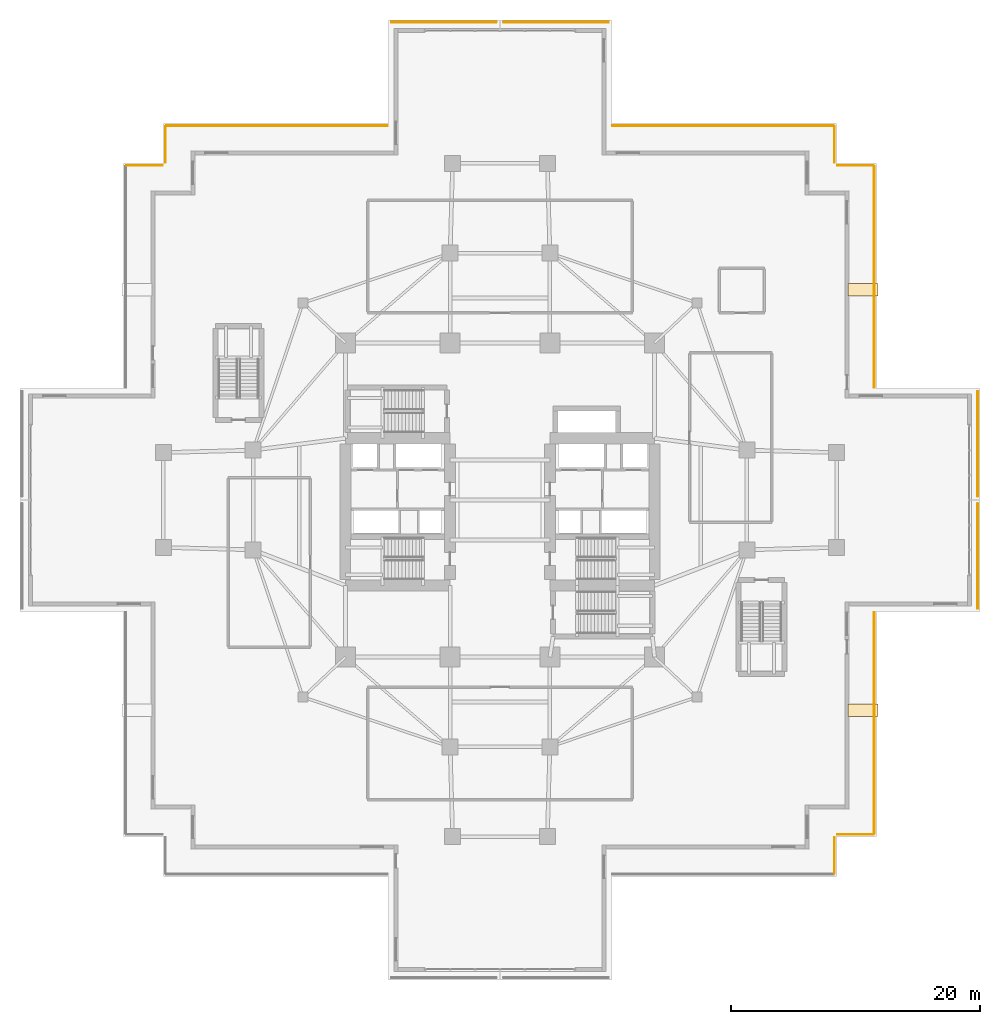
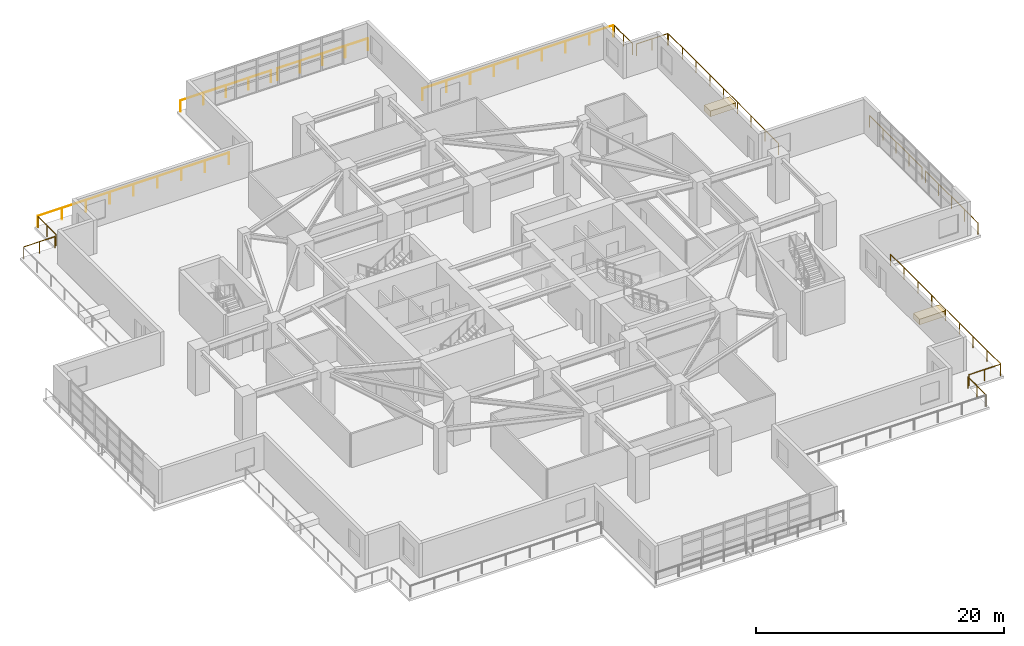
# One storey, part 23 of 23: 14 railings, 2 coverings.
"""IFC4 building model written with IfcOpenShell, lengths in metres."""

import ifcopenshell
import ifcopenshell.guid

model = None  # the IFC model being written
_history = None  # IfcOwnerHistory: only IFC2X3 demands one
_inside = {}  # id of a spatial element -> (the spatial element, [elements in it])
_under = {}  # id of a project, library or spatial element -> (it, [spatial elements below it])
_declared = {}  # id of a project -> (the project, [libraries it declares])
_typed = {}  # id of a type object -> (the type object, [elements of that type])
_made_of = {}  # id of a material, layer set ... -> (it, [elements and type objects made of it])


def new_model(schema):
    """Start an empty IFC model of exactly this schema.

    Asked for "IFC4X3", IfcOpenShell would pick the latest addendum, in which some entities
    have other attributes; the version numbers below select the first issue.
    IFC2X3 requires an IfcOwnerHistory on every rooted entity: one is made here for all.
    """
    global model, _history
    if schema == "IFC4X3":
        model = ifcopenshell.file(schema_version=(4, 3, 0, 0))
    else:
        model = ifcopenshell.file(schema=schema)
    _inside.clear()
    _under.clear()
    _declared.clear()
    _typed.clear()
    _made_of.clear()
    _history = None
    if model.schema == "IFC2X3":
        org = make("IfcOrganization", Name="unknown")
        user = make(
            "IfcPersonAndOrganization",
            ThePerson=make("IfcPerson", FamilyName="unknown"),
            TheOrganization=org,
        )
        app = make(
            "IfcApplication",
            ApplicationDeveloper=org,
            Version="unknown",
            ApplicationFullName="unknown",
            ApplicationIdentifier="unknown",
        )
        _history = make(
            "IfcOwnerHistory",
            OwningUser=user,
            OwningApplication=app,
            ChangeAction="ADDED",
            CreationDate=0,
        )
    return model


def make(cls, **values):
    """One entity of the class cls with the attributes given. An attribute that is None is left unset."""
    return model.create_entity(
        cls, **{name: value for name, value in values.items() if value is not None}
    )


def rooted(cls, **values):
    """An entity with a GlobalId (a new one), such as an element, a storey or a relation."""
    return make(cls, GlobalId=ifcopenshell.guid.new(), OwnerHistory=_history, **values)


def si_unit(unit_type, name, prefix=None):
    """IfcSIUnit, for example si_unit("LENGTHUNIT", "METRE", prefix="MILLI")."""
    return make("IfcSIUnit", UnitType=unit_type, Prefix=prefix, Name=name)


def assignment(units):
    """IfcUnitAssignment: the units of a project."""
    return None if units is None else make("IfcUnitAssignment", Units=units)


def point(xyz):
    """IfcCartesianPoint."""
    return None if xyz is None else make("IfcCartesianPoint", Coordinates=xyz)


def direction(xyz):
    """IfcDirection."""
    return None if xyz is None else make("IfcDirection", DirectionRatios=xyz)


def frame(location, z_axis=None, x_axis=None):
    """IfcAxis2Placement3D, a coordinate frame: its origin and axes. An axis left out is left unset."""
    return make(
        "IfcAxis2Placement3D",
        Location=point(location),
        Axis=direction(z_axis),
        RefDirection=direction(x_axis),
    )


def frame_2d(location, x_axis=None):
    """IfcAxis2Placement2D, a coordinate frame in the plane: its origin and x axis."""
    return make(
        "IfcAxis2Placement2D", Location=point(location), RefDirection=direction(x_axis)
    )


def origin():
    """The frame at (0, 0, 0) with its axes left unset."""
    return frame((0.0, 0.0, 0.0))


def origin_2d():
    """The frame at (0, 0) in the plane with its x axis left unset."""
    return frame_2d((0.0, 0.0))


def place(relative_to, where):
    """IfcLocalPlacement: puts the frame where relative to a parent placement (None: the world)."""
    return make(
        "IfcLocalPlacement", PlacementRelTo=relative_to, RelativePlacement=where
    )


def context(
    kind, dimensions, precision=None, world=None, true_north=None, identifier=None
):
    """IfcGeometricRepresentationContext, for example the 3D "Model" context."""
    return make(
        "IfcGeometricRepresentationContext",
        ContextIdentifier=identifier,
        ContextType=kind,
        CoordinateSpaceDimension=dimensions,
        Precision=precision,
        WorldCoordinateSystem=world,
        TrueNorth=true_north,
    )


def subcontext(parent, identifier, kind, view, scale=None):
    """IfcGeometricRepresentationSubContext, for example "Body" below "Model"."""
    return make(
        "IfcGeometricRepresentationSubContext",
        ContextIdentifier=identifier,
        ContextType=kind,
        ParentContext=parent,
        TargetScale=scale,
        TargetView=view,
    )


def project(units=None, contexts=None):
    """IfcProject with its units and contexts."""
    return rooted(
        "IfcProject",
        Name="project",
        RepresentationContexts=contexts,
        UnitsInContext=assignment(units),
    )


def spatial(cls, under=None, at=None, **own):
    """A site, building, storey or space (cls), placed at a placement, below another one or the project."""
    s = rooted(cls, ObjectPlacement=at, **own)
    if under is not None:
        _under.setdefault(under.id(), (under, []))[1].append(s)
    return s


def profile(cls, at=None, kind="AREA", **sizes):
    """A parametric profile (cls). Its sizes go by their IFC names, for example OverallWidth=200.0."""
    return make(cls, ProfileType=kind, Position=at, **sizes)


def rectangle(**sizes):
    """IfcRectangleProfileDef."""
    return profile("IfcRectangleProfileDef", **sizes)


def circle(**sizes):
    """IfcCircleProfileDef."""
    return profile("IfcCircleProfileDef", **sizes)


def extrude(swept, where, along, depth):
    """IfcExtrudedAreaSolid: the profile swept, set in the frame where, extruded along a direction by depth."""
    return make(
        "IfcExtrudedAreaSolid",
        SweptArea=swept,
        Position=where,
        ExtrudedDirection=direction(along),
        Depth=depth,
    )


def shape(context_of_items, identifier, shape_type, items):
    """IfcShapeRepresentation: the items that make up one representation, for example the "Body"."""
    return make(
        "IfcShapeRepresentation",
        ContextOfItems=context_of_items,
        RepresentationIdentifier=identifier,
        RepresentationType=shape_type,
        Items=items,
    )


def material(Name=None, Category=None):
    """IfcMaterial."""
    return make("IfcMaterial", Name=Name, Category=Category)


def layer(
    of_material, thickness, ventilated=None, Name=None, Category=None, Priority=None
):
    """IfcMaterialLayer: one layer of a wall or slab, of a material (None: an air gap)."""
    return make(
        "IfcMaterialLayer",
        Material=of_material,
        LayerThickness=thickness,
        IsVentilated=ventilated,
        Name=Name,
        Category=Category,
        Priority=Priority,
    )


def layer_set(layers, Name=None):
    """IfcMaterialLayerSet."""
    return make("IfcMaterialLayerSet", MaterialLayers=layers, LayerSetName=Name)


def made_of(thing, what):
    """Note that an element or type object is made of a material, layer set ...; save() writes the relation."""
    if what is not None:
        _made_of.setdefault(what.id(), (what, []))[1].append(thing)
    return thing


def type_object(cls, material=None, **own):
    """A type object (cls), such as IfcWallType, which elements share."""
    return made_of(rooted(cls, **own), material)


def element(
    cls,
    number,
    at=None,
    inside=None,
    cuts=None,
    type_object=None,
    material=None,
    context=None,
    identifier="Body",
    shape_type=None,
    held_by="IfcProductDefinitionShape",
    body=None,
    shapes=None,
    **own,
):
    """One element of the class cls, such as IfcWall. Its Tag is "e" and its number.

    at: its placement. inside: the storey or other place that contains it. cuts: it is an
    opening in that element (IfcRelVoidsElement). A single representation is given by context,
    identifier, shape_type and body (its items); several are given by shapes. held_by: the class
    of the entity that holds the representations. save() writes the other relations.
    """
    e = rooted(cls, Tag="e%d" % number, ObjectPlacement=at, **own)
    if body is not None:
        shapes = [shape(context, identifier, shape_type, body)]
    if shapes is not None:
        e.Representation = make(held_by, Representations=shapes)
    if inside is not None:
        _inside.setdefault(inside.id(), (inside, []))[1].append(e)
    if cuts is not None:
        rooted(
            "IfcRelVoidsElement", RelatingBuildingElement=cuts, RelatedOpeningElement=e
        )
    if type_object is not None:
        _typed.setdefault(type_object.id(), (type_object, []))[1].append(e)
    return made_of(e, material)


def aggregate(whole, parts):
    """IfcRelAggregates: a whole, such as a stair, and the parts it consists of."""
    return rooted("IfcRelAggregates", RelatingObject=whole, RelatedObjects=parts)


def save(model, path):
    """Write the relations noted so far, then the file.

    IfcRelAggregates (storeys below a building ...), IfcRelContainedInSpatialStructure (elements
    in a storey), IfcRelDefinesByType, IfcRelAssociatesMaterial and IfcRelDeclares: one each for
    every whole, place, type object, material and project.
    """
    for whole, parts in _under.values():
        aggregate(whole, parts)
    for where, things in _inside.values():
        rooted(
            "IfcRelContainedInSpatialStructure",
            RelatedElements=things,
            RelatingStructure=where,
        )
    for kind, things in _typed.values():
        rooted("IfcRelDefinesByType", RelatedObjects=things, RelatingType=kind)
    for what, things in _made_of.values():
        rooted("IfcRelAssociatesMaterial", RelatedObjects=things, RelatingMaterial=what)
    for by, libraries in _declared.values():
        rooted("IfcRelDeclares", RelatingContext=by, RelatedDefinitions=libraries)
    model.write(path)


model = new_model("IFC4")

# Units and contexts
model_context = context("Model", 3, precision=1e-05, world=origin(), true_north=direction((0.0, 1.0)))
body_context = subcontext(model_context, "Body", "Model", "MODEL_VIEW")
ifc_project = project(units=[si_unit("LENGTHUNIT", "METRE"), si_unit("AREAUNIT", "SQUARE_METRE"), si_unit("VOLUMEUNIT", "CUBIC_METRE"), si_unit("PLANEANGLEUNIT", "RADIAN"), si_unit("MASSUNIT", "GRAM", prefix="KILO")], contexts=[model_context])

# Site, building, storey
site_placement = place(None, origin())
site = spatial("IfcSite", under=ifc_project, at=site_placement, CompositionType="ELEMENT")
building_placement = place(site_placement, origin())
building = spatial("IfcBuilding", under=site, at=building_placement, Name="Qingluan Cross Belvedere", CompositionType="ELEMENT")
storey_placement = place(building_placement, frame((0.0, 0.0, 10.199951171875)))
storey = spatial("IfcBuildingStorey", under=building, at=storey_placement, Name="L03", CompositionType="ELEMENT", Elevation=10.199951171875)

# Railings
ifc_material_1 = material(Name="Laminated glass and stainless steel balustrade", Category="steel")
railing_type = type_object("IfcRailingType", Name="TerraceGuardBalustrade_1150", PredefinedType="BALUSTRADE", material=ifc_material_1)
railing_1_placement = place(storey_placement, frame((0.2900390625, 38.320068359375, 0.0)))
element("IfcRailing", 1, at=railing_1_placement, inside=storey, type_object=railing_type, Name="Terrace guard L03-1", PredefinedType="BALUSTRADE", context=body_context, shape_type="SweptSolid", body=[
    extrude(circle(Radius=0.02392578125, at=origin_2d()), frame((0.0, 0.0, 1.1259765625), z_axis=(1.0, 0.0, 0.0), x_axis=(0.0, 1.0, 0.0)), (0.0, 0.0, 1.0), 8.419921875),
    extrude(circle(Radius=0.02099609375, at=origin_2d()), origin(), (0.0, 0.0, 1.0), 1.101806640625),
    extrude(circle(Radius=0.02099609375, at=origin_2d()), frame((2.10498046875, 0.0, 0.0)), (0.0, 0.0, 1.0), 1.101806640625),
    extrude(circle(Radius=0.02099609375, at=origin_2d()), frame((4.2099609375, 0.0, 0.0)), (0.0, 0.0, 1.0), 1.101806640625),
    extrude(circle(Radius=0.02099609375, at=origin_2d()), frame((6.31494140625, 0.0, 0.0)), (0.0, 0.0, 1.0), 1.101806640625),
    extrude(circle(Radius=0.02099609375, at=origin_2d()), frame((8.419921875, 0.0, 0.0)), (0.0, 0.0, 1.0), 1.101806640625),
])
railing_2_placement = place(storey_placement, frame((9.010009765625, 30.02001953125, 0.0)))
element("IfcRailing", 2, at=railing_2_placement, inside=storey, type_object=railing_type, Name="Terrace guard L03-2", PredefinedType="BALUSTRADE", context=body_context, shape_type="SweptSolid", body=[
    extrude(circle(Radius=0.02392578125, at=origin_2d()), frame((0.0, 0.0, 1.1259765625), z_axis=(1.0, 0.0, 0.0), x_axis=(0.0, 1.0, 0.0)), (0.0, 0.0, 1.0), 17.75),
    extrude(circle(Radius=0.02099609375, at=origin_2d()), origin(), (0.0, 0.0, 1.0), 1.101806640625),
    extrude(circle(Radius=0.02099609375, at=origin_2d()), frame((2.21875, 0.0, 0.0)), (0.0, 0.0, 1.0), 1.101806640625),
    extrude(circle(Radius=0.02099609375, at=origin_2d()), frame((4.4375, 0.0, 0.0)), (0.0, 0.0, 1.0), 1.101806640625),
    extrude(circle(Radius=0.02099609375, at=origin_2d()), frame((6.65625, 0.0, 0.0)), (0.0, 0.0, 1.0), 1.101806640625),
    extrude(circle(Radius=0.02099609375, at=origin_2d()), frame((8.875, 0.0, 0.0)), (0.0, 0.0, 1.0), 1.101806640625),
    extrude(circle(Radius=0.02099609375, at=origin_2d()), frame((11.09375, 0.0, 0.0)), (0.0, 0.0, 1.0), 1.101806640625),
    extrude(circle(Radius=0.02099609375, at=origin_2d()), frame((13.3125, 0.0, 0.0)), (0.0, 0.0, 1.0), 1.101806640625),
    extrude(circle(Radius=0.02099609375, at=origin_2d()), frame((15.53125, 0.0, 0.0)), (0.0, 0.0, 1.0), 1.101806640625),
    extrude(circle(Radius=0.02099609375, at=origin_2d()), frame((17.75, 0.0, 0.0)), (0.0, 0.0, 1.0), 1.101806640625),
])
railing_3_placement = place(storey_placement, frame((26.820068359375, 29.9599609375, 0.0)))
element("IfcRailing", 3, at=railing_3_placement, inside=storey, type_object=railing_type, Name="Terrace guard L03-3", PredefinedType="BALUSTRADE", context=body_context, shape_type="SweptSolid", body=[
    extrude(circle(Radius=0.02392578125, at=origin_2d()), frame((0.0, 0.0, 1.1259765625), z_axis=(0.0, -1.0, 0.0), x_axis=(1.0, 0.0, 0.0)), (0.0, 0.0, 1.0), 2.89990234375),
    extrude(circle(Radius=0.02099609375, at=origin_2d()), origin(), (0.0, 0.0, 1.0), 1.101806640625),
    extrude(circle(Radius=0.02099609375, at=origin_2d()), frame((0.0, -1.449951171875, 0.0)), (0.0, 0.0, 1.0), 1.101806640625),
    extrude(circle(Radius=0.02099609375, at=origin_2d()), frame((0.0, -2.89990234375, 0.0)), (0.0, 0.0, 1.0), 1.101806640625),
])
railing_4_placement = place(storey_placement, frame((27.06005859375, 26.820068359375, 0.0)))
element("IfcRailing", 4, at=railing_4_placement, inside=storey, type_object=railing_type, Name="Terrace guard L03-4", PredefinedType="BALUSTRADE", context=body_context, shape_type="SweptSolid", body=[
    extrude(circle(Radius=0.02392578125, at=origin_2d()), frame((0.0, 0.0, 1.1259765625), z_axis=(1.0, 0.0, 0.0), x_axis=(0.0, 1.0, 0.0)), (0.0, 0.0, 1.0), 2.89990234375),
    extrude(circle(Radius=0.02099609375, at=origin_2d()), origin(), (0.0, 0.0, 1.0), 1.101806640625),
    extrude(circle(Radius=0.02099609375, at=origin_2d()), frame((1.449951171875, 0.0, 0.0)), (0.0, 0.0, 1.0), 1.101806640625),
    extrude(circle(Radius=0.02099609375, at=origin_2d()), frame((2.89990234375, 0.0, 0.0)), (0.0, 0.0, 1.0), 1.101806640625),
])
railing_5_placement = place(storey_placement, frame((30.02001953125, 26.760009765625, 0.0)))
element("IfcRailing", 5, at=railing_5_placement, inside=storey, type_object=railing_type, Name="Terrace guard L03-5", PredefinedType="BALUSTRADE", context=body_context, shape_type="SweptSolid", body=[
    extrude(circle(Radius=0.02392578125, at=origin_2d()), frame((0.0, 0.0, 1.1259765625), z_axis=(0.0, -1.0, 0.0), x_axis=(1.0, 0.0, 0.0)), (0.0, 0.0, 1.0), 17.75),
    extrude(circle(Radius=0.02099609375, at=origin_2d()), origin(), (0.0, 0.0, 1.0), 1.101806640625),
    extrude(circle(Radius=0.02099609375, at=origin_2d()), frame((0.0, -2.21875, 0.0)), (0.0, 0.0, 1.0), 1.101806640625),
    extrude(circle(Radius=0.02099609375, at=origin_2d()), frame((0.0, -4.4375, 0.0)), (0.0, 0.0, 1.0), 1.101806640625),
    extrude(circle(Radius=0.02099609375, at=origin_2d()), frame((0.0, -6.65625, 0.0)), (0.0, 0.0, 1.0), 1.101806640625),
    extrude(circle(Radius=0.02099609375, at=origin_2d()), frame((0.0, -8.875, 0.0)), (0.0, 0.0, 1.0), 1.101806640625),
    extrude(circle(Radius=0.02099609375, at=origin_2d()), frame((0.0, -11.09375, 0.0)), (0.0, 0.0, 1.0), 1.101806640625),
    extrude(circle(Radius=0.02099609375, at=origin_2d()), frame((0.0, -13.3125, 0.0)), (0.0, 0.0, 1.0), 1.101806640625),
    extrude(circle(Radius=0.02099609375, at=origin_2d()), frame((0.0, -15.53125, 0.0)), (0.0, 0.0, 1.0), 1.101806640625),
    extrude(circle(Radius=0.02099609375, at=origin_2d()), frame((0.0, -17.75, 0.0)), (0.0, 0.0, 1.0), 1.101806640625),
])
railing_6_placement = place(storey_placement, frame((38.320068359375, 8.7099609375, 0.0)))
element("IfcRailing", 6, at=railing_6_placement, inside=storey, type_object=railing_type, Name="Terrace guard L03-6", PredefinedType="BALUSTRADE", context=body_context, shape_type="SweptSolid", body=[
    extrude(circle(Radius=0.02392578125, at=origin_2d()), frame((0.0, 0.0, 1.1259765625), z_axis=(0.0, -1.0, 0.0), x_axis=(1.0, 0.0, 0.0)), (0.0, 0.0, 1.0), 8.419921875),
    extrude(circle(Radius=0.02099609375, at=origin_2d()), origin(), (0.0, 0.0, 1.0), 1.101806640625),
    extrude(circle(Radius=0.02099609375, at=origin_2d()), frame((0.0, -2.10498046875, 0.0)), (0.0, 0.0, 1.0), 1.101806640625),
    extrude(circle(Radius=0.02099609375, at=origin_2d()), frame((0.0, -4.2099609375, 0.0)), (0.0, 0.0, 1.0), 1.101806640625),
    extrude(circle(Radius=0.02099609375, at=origin_2d()), frame((0.0, -6.31494140625, 0.0)), (0.0, 0.0, 1.0), 1.101806640625),
    extrude(circle(Radius=0.02099609375, at=origin_2d()), frame((0.0, -8.419921875, 0.0)), (0.0, 0.0, 1.0), 1.101806640625),
])
railing_7_placement = place(storey_placement, frame((-29.9599609375, 26.820068359375, 0.0)))
element("IfcRailing", 7, at=railing_7_placement, inside=storey, type_object=railing_type, Name="Terrace guard L03-3", PredefinedType="BALUSTRADE", context=body_context, shape_type="SweptSolid", body=[
    extrude(circle(Radius=0.02392578125, at=origin_2d()), frame((0.0, 0.0, 1.1259765625), z_axis=(1.0, 0.0, 0.0), x_axis=(0.0, 1.0, 0.0)), (0.0, 0.0, 1.0), 2.89990234375),
    extrude(circle(Radius=0.02099609375, at=origin_2d()), origin(), (0.0, 0.0, 1.0), 1.101806640625),
    extrude(circle(Radius=0.02099609375, at=origin_2d()), frame((1.449951171875, 0.0, 0.0)), (0.0, 0.0, 1.0), 1.101806640625),
    extrude(circle(Radius=0.02099609375, at=origin_2d()), frame((2.89990234375, 0.0, 0.0)), (0.0, 0.0, 1.0), 1.101806640625),
])
railing_8_placement = place(storey_placement, frame((-26.820068359375, 27.06005859375, 0.0)))
element("IfcRailing", 8, at=railing_8_placement, inside=storey, type_object=railing_type, Name="Terrace guard L03-4", PredefinedType="BALUSTRADE", context=body_context, shape_type="SweptSolid", body=[
    extrude(circle(Radius=0.02392578125, at=origin_2d()), frame((0.0, 0.0, 1.1259765625), z_axis=(0.0, 1.0, 0.0), x_axis=(-1.0, 0.0, 0.0)), (0.0, 0.0, 1.0), 2.89990234375),
    extrude(circle(Radius=0.02099609375, at=origin_2d()), origin(), (0.0, 0.0, 1.0), 1.101806640625),
    extrude(circle(Radius=0.02099609375, at=origin_2d()), frame((0.0, 1.449951171875, 0.0)), (0.0, 0.0, 1.0), 1.101806640625),
    extrude(circle(Radius=0.02099609375, at=origin_2d()), frame((0.0, 2.89990234375, 0.0)), (0.0, 0.0, 1.0), 1.101806640625),
])
railing_9_placement = place(storey_placement, frame((-26.760009765625, 30.02001953125, 0.0)))
element("IfcRailing", 9, at=railing_9_placement, inside=storey, type_object=railing_type, Name="Terrace guard L03-5", PredefinedType="BALUSTRADE", context=body_context, shape_type="SweptSolid", body=[
    extrude(circle(Radius=0.02392578125, at=origin_2d()), frame((0.0, 0.0, 1.1259765625), z_axis=(1.0, 0.0, 0.0), x_axis=(0.0, 1.0, 0.0)), (0.0, 0.0, 1.0), 17.75),
    extrude(circle(Radius=0.02099609375, at=origin_2d()), origin(), (0.0, 0.0, 1.0), 1.101806640625),
    extrude(circle(Radius=0.02099609375, at=origin_2d()), frame((2.21875, 0.0, 0.0)), (0.0, 0.0, 1.0), 1.101806640625),
    extrude(circle(Radius=0.02099609375, at=origin_2d()), frame((4.4375, 0.0, 0.0)), (0.0, 0.0, 1.0), 1.101806640625),
    extrude(circle(Radius=0.02099609375, at=origin_2d()), frame((6.65625, 0.0, 0.0)), (0.0, 0.0, 1.0), 1.101806640625),
    extrude(circle(Radius=0.02099609375, at=origin_2d()), frame((8.875, 0.0, 0.0)), (0.0, 0.0, 1.0), 1.101806640625),
    extrude(circle(Radius=0.02099609375, at=origin_2d()), frame((11.09375, 0.0, 0.0)), (0.0, 0.0, 1.0), 1.101806640625),
    extrude(circle(Radius=0.02099609375, at=origin_2d()), frame((13.3125, 0.0, 0.0)), (0.0, 0.0, 1.0), 1.101806640625),
    extrude(circle(Radius=0.02099609375, at=origin_2d()), frame((15.53125, 0.0, 0.0)), (0.0, 0.0, 1.0), 1.101806640625),
    extrude(circle(Radius=0.02099609375, at=origin_2d()), frame((17.75, 0.0, 0.0)), (0.0, 0.0, 1.0), 1.101806640625),
])
railing_10_placement = place(storey_placement, frame((-8.7099609375, 38.320068359375, 0.0)))
element("IfcRailing", 10, at=railing_10_placement, inside=storey, type_object=railing_type, Name="Terrace guard L03-6", PredefinedType="BALUSTRADE", context=body_context, shape_type="SweptSolid", body=[
    extrude(circle(Radius=0.02392578125, at=origin_2d()), frame((0.0, 0.0, 1.1259765625), z_axis=(1.0, 0.0, 0.0), x_axis=(0.0, 1.0, 0.0)), (0.0, 0.0, 1.0), 8.419921875),
    extrude(circle(Radius=0.02099609375, at=origin_2d()), origin(), (0.0, 0.0, 1.0), 1.101806640625),
    extrude(circle(Radius=0.02099609375, at=origin_2d()), frame((2.10498046875, 0.0, 0.0)), (0.0, 0.0, 1.0), 1.101806640625),
    extrude(circle(Radius=0.02099609375, at=origin_2d()), frame((4.2099609375, 0.0, 0.0)), (0.0, 0.0, 1.0), 1.101806640625),
    extrude(circle(Radius=0.02099609375, at=origin_2d()), frame((6.31494140625, 0.0, 0.0)), (0.0, 0.0, 1.0), 1.101806640625),
    extrude(circle(Radius=0.02099609375, at=origin_2d()), frame((8.419921875, 0.0, 0.0)), (0.0, 0.0, 1.0), 1.101806640625),
])
railing_11_placement = place(storey_placement, frame((38.320068359375, -0.2900390625, 0.0)))
element("IfcRailing", 11, at=railing_11_placement, inside=storey, type_object=railing_type, Name="Terrace guard L03-2", PredefinedType="BALUSTRADE", context=body_context, shape_type="SweptSolid", body=[
    extrude(circle(Radius=0.02392578125, at=origin_2d()), frame((0.0, 0.0, 1.1259765625), z_axis=(0.0, -1.0, 0.0), x_axis=(1.0, 0.0, 0.0)), (0.0, 0.0, 1.0), 8.419921875),
    extrude(circle(Radius=0.02099609375, at=origin_2d()), origin(), (0.0, 0.0, 1.0), 1.101806640625),
    extrude(circle(Radius=0.02099609375, at=origin_2d()), frame((0.0, -2.10498046875, 0.0)), (0.0, 0.0, 1.0), 1.101806640625),
    extrude(circle(Radius=0.02099609375, at=origin_2d()), frame((0.0, -4.2099609375, 0.0)), (0.0, 0.0, 1.0), 1.101806640625),
    extrude(circle(Radius=0.02099609375, at=origin_2d()), frame((0.0, -6.31494140625, 0.0)), (0.0, 0.0, 1.0), 1.101806640625),
    extrude(circle(Radius=0.02099609375, at=origin_2d()), frame((0.0, -8.419921875, 0.0)), (0.0, 0.0, 1.0), 1.101806640625),
])
railing_12_placement = place(storey_placement, frame((30.02001953125, -9.010009765625, 0.0)))
element("IfcRailing", 12, at=railing_12_placement, inside=storey, type_object=railing_type, Name="Terrace guard L03-3", PredefinedType="BALUSTRADE", context=body_context, shape_type="SweptSolid", body=[
    extrude(circle(Radius=0.02392578125, at=origin_2d()), frame((0.0, 0.0, 1.1259765625), z_axis=(0.0, -1.0, 0.0), x_axis=(1.0, 0.0, 0.0)), (0.0, 0.0, 1.0), 17.75),
    extrude(circle(Radius=0.02099609375, at=origin_2d()), origin(), (0.0, 0.0, 1.0), 1.101806640625),
    extrude(circle(Radius=0.02099609375, at=origin_2d()), frame((0.0, -2.21875, 0.0)), (0.0, 0.0, 1.0), 1.101806640625),
    extrude(circle(Radius=0.02099609375, at=origin_2d()), frame((0.0, -4.4375, 0.0)), (0.0, 0.0, 1.0), 1.101806640625),
    extrude(circle(Radius=0.02099609375, at=origin_2d()), frame((0.0, -6.65625, 0.0)), (0.0, 0.0, 1.0), 1.101806640625),
    extrude(circle(Radius=0.02099609375, at=origin_2d()), frame((0.0, -8.875, 0.0)), (0.0, 0.0, 1.0), 1.101806640625),
    extrude(circle(Radius=0.02099609375, at=origin_2d()), frame((0.0, -11.09375, 0.0)), (0.0, 0.0, 1.0), 1.101806640625),
    extrude(circle(Radius=0.02099609375, at=origin_2d()), frame((0.0, -13.3125, 0.0)), (0.0, 0.0, 1.0), 1.101806640625),
    extrude(circle(Radius=0.02099609375, at=origin_2d()), frame((0.0, -15.53125, 0.0)), (0.0, 0.0, 1.0), 1.101806640625),
    extrude(circle(Radius=0.02099609375, at=origin_2d()), frame((0.0, -17.75, 0.0)), (0.0, 0.0, 1.0), 1.101806640625),
])
railing_13_placement = place(storey_placement, frame((29.9599609375, -26.820068359375, 0.0)))
element("IfcRailing", 13, at=railing_13_placement, inside=storey, type_object=railing_type, Name="Terrace guard L03-4", PredefinedType="BALUSTRADE", context=body_context, shape_type="SweptSolid", body=[
    extrude(circle(Radius=0.02392578125, at=origin_2d()), frame((0.0, 0.0, 1.1259765625), z_axis=(-1.0, 0.0, 0.0), x_axis=(0.0, -1.0, 0.0)), (0.0, 0.0, 1.0), 2.89990234375),
    extrude(circle(Radius=0.02099609375, at=origin_2d()), origin(), (0.0, 0.0, 1.0), 1.101806640625),
    extrude(circle(Radius=0.02099609375, at=origin_2d()), frame((-1.449951171875, 0.0, 0.0)), (0.0, 0.0, 1.0), 1.101806640625),
    extrude(circle(Radius=0.02099609375, at=origin_2d()), frame((-2.89990234375, 0.0, 0.0)), (0.0, 0.0, 1.0), 1.101806640625),
])
railing_14_placement = place(storey_placement, frame((26.820068359375, -27.06005859375, 0.0)))
element("IfcRailing", 14, at=railing_14_placement, inside=storey, type_object=railing_type, Name="Terrace guard L03-5", PredefinedType="BALUSTRADE", context=body_context, shape_type="SweptSolid", body=[
    extrude(circle(Radius=0.02392578125, at=origin_2d()), frame((0.0, 0.0, 1.1259765625), z_axis=(0.0, -1.0, 0.0), x_axis=(1.0, 0.0, 0.0)), (0.0, 0.0, 1.0), 2.89990234375),
    extrude(circle(Radius=0.02099609375, at=origin_2d()), origin(), (0.0, 0.0, 1.0), 1.101806640625),
    extrude(circle(Radius=0.02099609375, at=origin_2d()), frame((0.0, -1.449951171875, 0.0)), (0.0, 0.0, 1.0), 1.101806640625),
    extrude(circle(Radius=0.02099609375, at=origin_2d()), frame((0.0, -2.89990234375, 0.0)), (0.0, 0.0, 1.0), 1.101806640625),
])

# Coverings
ifc_material_2 = material(Name="Precast concrete C40", Category="concrete")
ifc_layer = layer(ifc_material_2, 0.550048828125, Name="TerracePlanterBox")
ifc_layer_set = layer_set([ifc_layer], Name="Precast concrete C40")
covering_type = type_object("IfcCoveringType", Name="TerracePlanterBox", PredefinedType="USERDEFINED", material=ifc_layer_set)
for number, where, z_axis, x_axis, name in (
    (15, (29.110107421875, 16.876953125, 0.0), (0.0, 0.0, 1.0), (1.0, 0.0, 0.0), "Cascading garden terrace planter L03-1"),
    (16, (29.10791015625, -16.882080078125, 0.0), (0.0, 0.0, 1.0), (1.0, 0.0, 0.0), "Cascading garden terrace planter L03-4"),
):
    element("IfcCovering", number, at=place(storey_placement, frame(where, z_axis=z_axis, x_axis=x_axis)), inside=storey, type_object=covering_type, Name=name, ObjectType="PLANTER", PredefinedType="USERDEFINED", context=body_context, shape_type="SweptSolid", body=[
        extrude(rectangle(XDim=2.39990234375, YDim=1.0, at=origin_2d()), origin(), (0.0, 0.0, 1.0), 0.550048828125),
    ])

save(model, "model.ifc")
